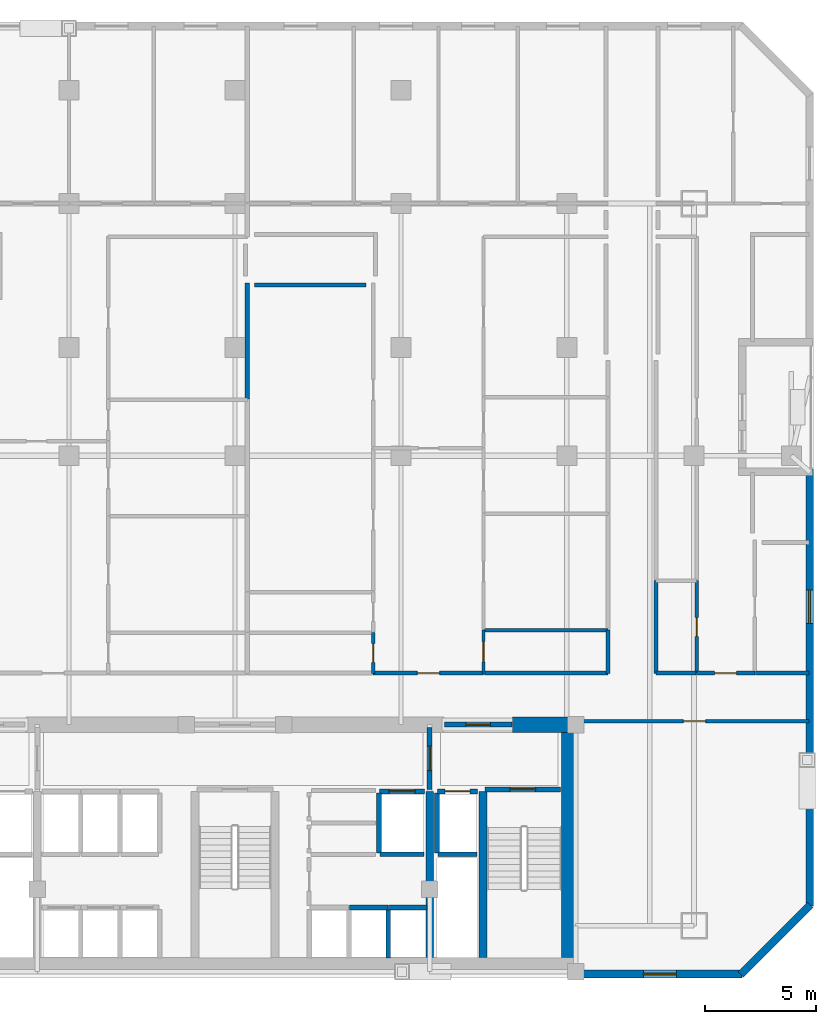
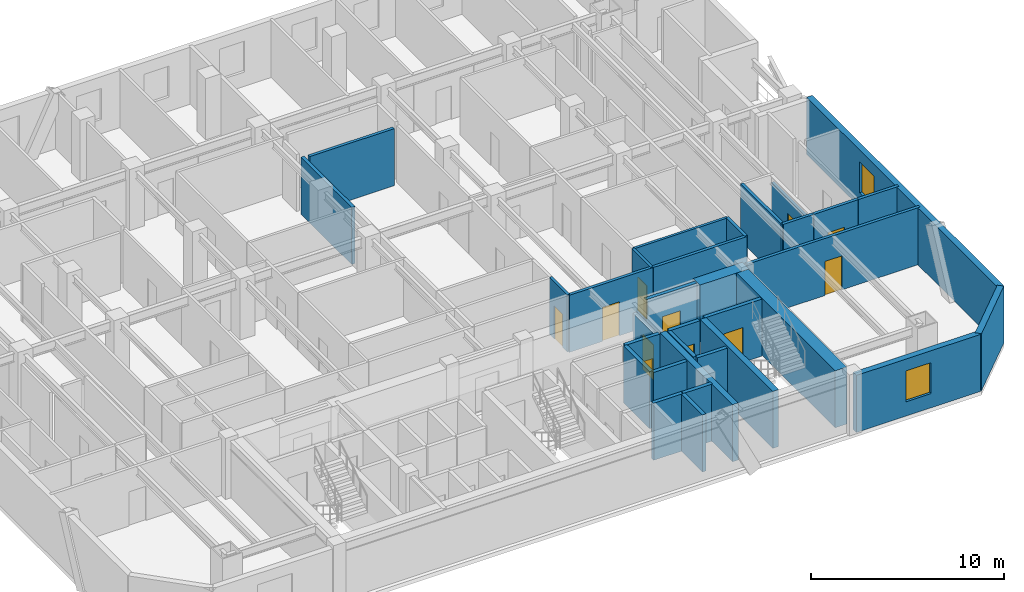
# One storey, part 5 of 10: 33 walls, 11 doors, 2 windows, 13 openings.
"""IFC4 building model written with IfcOpenShell, lengths in metres."""

from ifc_helpers import new_model, si_unit, direction, frame, frame_2d, origin, place, context, subcontext, project, spatial, rectangle, extrude, material, layer, layer_set, type_object, element, fill, save


model = new_model("IFC4")

# Units and contexts
model_context = context("Model", 3, precision=1e-05, world=origin(), true_north=direction((0.0, 1.0)))
body_context = subcontext(model_context, "Body", "Model", "MODEL_VIEW")
ifc_project = project(units=[si_unit("LENGTHUNIT", "METRE"), si_unit("AREAUNIT", "SQUARE_METRE"), si_unit("VOLUMEUNIT", "CUBIC_METRE"), si_unit("PLANEANGLEUNIT", "RADIAN"), si_unit("MASSUNIT", "GRAM", prefix="KILO")], contexts=[model_context])

# Site, building, storey
site_placement = place(None, origin())
site = spatial("IfcSite", under=ifc_project, at=site_placement, CompositionType="ELEMENT")
building_placement = place(site_placement, origin())
building = spatial("IfcBuilding", under=site, at=building_placement, Name="Ventersveld Concourse Tower", CompositionType="ELEMENT")
storey_placement = place(building_placement, frame((0.0, 0.0, 104.14990234375)))
storey = spatial("IfcBuildingStorey", under=building, at=storey_placement, Name="L25", CompositionType="ELEMENT", Elevation=104.14990234375)

# Walls
ifc_material_1 = material(Name="Concrete C60/75", Category="concrete")
ifc_layer_1 = layer(ifc_material_1, 0.35009765625)
ifc_layer_set_1 = layer_set([ifc_layer_1], Name="Concrete C60/75")
wall_type_1 = type_object("IfcWallType", Name="WL-CORE-350L", PredefinedType="SHEAR", material=ifc_layer_set_1)
for number, where, z_axis, x_axis, name in (
    (1, (37.550048828125, 0.919921875, 0.0), (0.0, 0.0, 1.0), (0.0, 1.0, 0.0), "L25 Core Internal Shear Web W-SVL-W"),
    (2, (39.9599609375, 0.919921875, 0.0), (0.0, 0.0, 1.0), (0.0, 1.0, 0.0), "L25 Core Internal Shear Web W-ST2-W"),
):
    element("IfcWall", number, at=place(storey_placement, frame(where, z_axis=z_axis, x_axis=x_axis)), inside=storey, type_object=wall_type_1, Name=name, PredefinedType="SHEAR", context=body_context, shape_type="SweptSolid", body=[
        extrude(rectangle(XDim=7.5, YDim=0.35009765625, at=frame_2d((3.75, 0.0))), origin(), (0.0, 0.0, 1.0), 3.60009765625),
    ])
ifc_layer_2 = layer(ifc_material_1, 0.699951171875)
ifc_layer_set_2 = layer_set([ifc_layer_2], Name="Concrete C60/75")
wall_type_2 = type_object("IfcWallType", Name="WL-CORE-700", PredefinedType="SHEAR", material=ifc_layer_set_2)
wall_1_placement = place(storey_placement, frame((43.85009765625, 0.919921875, 0.0), z_axis=(0.0, 0.0, 1.0), x_axis=(0.0, 1.0, 0.0)))
element("IfcWall", 3, at=wall_1_placement, inside=storey, type_object=wall_type_2, Name="L25 Rear Core East Shear Wall", PredefinedType="SHEAR", context=body_context, shape_type="SweptSolid", body=[
    extrude(rectangle(XDim=10.530029296875, YDim=0.699951171875, at=frame_2d((5.26513671875, 0.0))), origin(), (0.0, 0.0, 1.0), 3.60009765625),
])
wall_2_placement = place(storey_placement, frame((41.300048828125, 11.449951171875, 0.0), z_axis=(0.0, 0.0, 1.0), x_axis=(1.0, 0.0, 0.0)))
element("IfcWall", 4, at=wall_2_placement, inside=storey, type_object=wall_type_2, Name="L25 Rear Core North Shear Wall NE", PredefinedType="SHEAR", context=body_context, shape_type="SweptSolid", body=[
    extrude(rectangle(XDim=2.949951171875, YDim=0.699951171875, at=frame_2d((1.47509765625, 0.0))), origin(), (0.0, 0.0, 1.0), 3.60009765625),
])

# Wall, opening, door
ifc_material_2 = material(Name="Fire-rated autoclaved aerated masonry blockwork", Category="masonry")
ifc_layer_3 = layer(ifc_material_2, 0.179931640625)
ifc_layer_set_3 = layer_set([ifc_layer_3], Name="Fire-rated autoclaved aerated masonry blockwork")
wall_type_3 = type_object("IfcWallType", Name="WL-CORR-180", PredefinedType="PARTITIONING", material=ifc_layer_set_3)
wall_3_placement = place(storey_placement, frame((44.35498046875, 11.60009765625, 0.0), z_axis=(0.0, 0.0, 1.0), x_axis=(1.0, 0.0, 0.0)))
wall_3 = element("IfcWall", 5, at=wall_3_placement, inside=storey, type_object=wall_type_3, Name="L25 Interior Partition SP-L25-SE-OFF-SP-L25-COR", PredefinedType="PARTITIONING", context=body_context, shape_type="SweptSolid", body=[
    extrude(rectangle(XDim=10.3349609375, YDim=0.179931640625, at=frame_2d((5.16748046875, 0.0))), origin(), (0.0, 0.0, 1.0), 3.60009765625),
])
opening_1_placement = place(wall_3_placement, frame((4.66748046875, 0.0, 0.0)))
opening_1 = element("IfcOpeningElement", 6, at=opening_1_placement, cuts=wall_3, Name="Opening FD3", PredefinedType="OPENING", context=body_context, shape_type="SweptSolid", body=[
    extrude(rectangle(XDim=1.0, YDim=2.14990234375, at=frame_2d((0.5, 1.074951171875))), frame((0.0, 0.10009765625, 0.0), z_axis=(0.0, -1.0, 0.0), x_axis=(1.0, 0.0, 0.0)), (0.0, 0.0, 1.0), 0.199951171875),
])
ifc_material_3 = material(Name="Solid-core hardwood veneer timber", Category="wood")
door_type_1 = type_object("IfcDoorType", Name="DR-FLAT-100", OperationType="NOTDEFINED", PredefinedType="DOOR", material=ifc_material_3)
door_1_placement = place(opening_1_placement, origin())
door_1 = element("IfcDoor", 7, at=door_1_placement, inside=storey, type_object=door_type_1, Name="L25 Interior Door SP-L25-SE-OFF to SP-L25-COR (D-L25-1221)", OperationType="SINGLE_SWING_LEFT", OverallHeight=2.14990234375, OverallWidth=1.0, PredefinedType="DOOR", context=body_context, shape_type="SweptSolid", body=[
    extrude(rectangle(XDim=1.0, YDim=2.14990234375, at=frame_2d((0.5, 1.074951171875))), frame((0.0, 0.02490234375, 0.0), z_axis=(0.0, -1.0, 0.0), x_axis=(1.0, 0.0, 0.0)), (0.0, 0.0, 1.0), 0.050048828125),
])
fill(opening_1, door_1)

wall_4_placement = place(storey_placement, frame((49.612060546875, 13.77001953125, 0.0), z_axis=(0.0, 0.0, 1.0), x_axis=(1.0, 0.0, 0.0)))
wall_4 = element("IfcWall", 8, at=wall_4_placement, inside=storey, type_object=wall_type_3, Name="L25 Interior Partition SP-L25-COR-SP-L25-25NE-LIV", PredefinedType="PARTITIONING", context=body_context, shape_type="SweptSolid", body=[
    extrude(rectangle(XDim=2.635986328125, YDim=0.179931640625, at=frame_2d((1.31787109375, 0.0))), origin(), (0.0, 0.0, 1.0), 3.60009765625),
])
opening_2_placement = place(wall_4_placement, frame((0.818115234375, 0.0, 0.0)))
opening_2 = element("IfcOpeningElement", 9, at=opening_2_placement, cuts=wall_4, Name="Opening FD3", PredefinedType="OPENING", context=body_context, shape_type="SweptSolid", body=[
    extrude(rectangle(XDim=1.0, YDim=2.14990234375, at=frame_2d((0.5, 1.074951171875))), frame((0.0, 0.10009765625, 0.0), z_axis=(0.0, -1.0, 0.0), x_axis=(1.0, 0.0, 0.0)), (0.0, 0.0, 1.0), 0.199951171875),
])
door_2_placement = place(opening_2_placement, origin())
door_2 = element("IfcDoor", 10, at=door_2_placement, inside=storey, type_object=door_type_1, Name="L25 Interior Door SP-L25-COR to SP-L25-25NE-LIV (FD-L25-1223)", OperationType="SINGLE_SWING_LEFT", OverallHeight=2.14990234375, OverallWidth=1.0, PredefinedType="DOOR", context=body_context, shape_type="SweptSolid", body=[
    extrude(rectangle(XDim=1.0, YDim=2.14990234375, at=frame_2d((0.5, 1.074951171875))), frame((0.0, 0.02490234375, 0.0), z_axis=(0.0, -1.0, 0.0), x_axis=(1.0, 0.0, 0.0)), (0.0, 0.0, 1.0), 0.050048828125),
])
fill(opening_2, door_2)

# Walls
wall_5_placement = place(storey_placement, frame((47.7900390625, 13.764892578125, 0.0), z_axis=(0.0, 0.0, 1.0), x_axis=(0.0, 1.0, 0.0)))
element("IfcWall", 11, at=wall_5_placement, inside=storey, type_object=wall_type_3, Name="L25 Interior Partition SP-L25-COR-SP-L25-25NE-BATH", PredefinedType="PARTITIONING", context=body_context, shape_type="SweptSolid", body=[
    extrude(rectangle(XDim=4.197509765625, YDim=0.179931640625, at=frame_2d((2.0986328125, 0.0))), origin(), (0.0, 0.0, 1.0), 3.60009765625),
])
wall_6_placement = place(storey_placement, frame((47.784912109375, 13.77001953125, 0.0), z_axis=(0.0, 0.0, 1.0), x_axis=(1.0, 0.0, 0.0)))
element("IfcWall", 12, at=wall_6_placement, inside=storey, type_object=wall_type_3, Name="L25 Interior Partition SP-L25-COR-SP-L25-25NE-BATH", PredefinedType="PARTITIONING", context=body_context, shape_type="SweptSolid", body=[
    extrude(rectangle(XDim=1.797119140625, YDim=0.179931640625, at=frame_2d((0.8984375, 0.0))), origin(), (0.0, 0.0, 1.0), 3.60009765625),
])
wall_7_placement = place(storey_placement, frame((52.278076171875, 13.77001953125, 0.0), z_axis=(0.0, 0.0, 1.0), x_axis=(1.0, 0.0, 0.0)))
element("IfcWall", 13, at=wall_7_placement, inside=storey, type_object=wall_type_3, Name="L25 Interior Partition SP-L25-COR-SP-L25-25NE-KIT", PredefinedType="PARTITIONING", context=body_context, shape_type="SweptSolid", body=[
    extrude(rectangle(XDim=2.411865234375, YDim=0.179931640625, at=frame_2d((1.2060546875, 0.0))), origin(), (0.0, 0.0, 1.0), 3.60009765625),
])

# Wall, opening, door
wall_8_placement = place(storey_placement, frame((35.00048828125, 13.77001953125, 0.0), z_axis=(0.0, 0.0, 1.0), x_axis=(1.0, 0.0, 0.0)))
wall_8 = element("IfcWall", 14, at=wall_8_placement, inside=storey, type_object=wall_type_3, Name="L25 Interior Partition SP-L25-COR-SP-L25-25N2-FOY", PredefinedType="PARTITIONING", context=body_context, shape_type="SweptSolid", body=[
    extrude(rectangle(XDim=4.989990234375, YDim=0.179931640625, at=frame_2d((2.4951171875, 0.0))), origin(), (0.0, 0.0, 1.0), 3.60009765625),
])
opening_3_placement = place(wall_8_placement, frame((1.9951171875, 0.0, 0.0)))
opening_3 = element("IfcOpeningElement", 15, at=opening_3_placement, cuts=wall_8, Name="Opening FD3", PredefinedType="OPENING", context=body_context, shape_type="SweptSolid", body=[
    extrude(rectangle(XDim=1.0, YDim=2.14990234375, at=frame_2d((0.5, 1.074951171875))), frame((0.0, 0.10009765625, 0.0), z_axis=(0.0, -1.0, 0.0), x_axis=(1.0, 0.0, 0.0)), (0.0, 0.0, 1.0), 0.199951171875),
])
door_3_placement = place(opening_3_placement, origin())
door_3 = element("IfcDoor", 16, at=door_3_placement, inside=storey, type_object=door_type_1, Name="L25 Interior Door SP-L25-COR to SP-L25-25N2-FOY (FD-L25-1225)", OperationType="SINGLE_SWING_LEFT", OverallHeight=2.14990234375, OverallWidth=1.0, PredefinedType="DOOR", context=body_context, shape_type="SweptSolid", body=[
    extrude(rectangle(XDim=1.0, YDim=2.14990234375, at=frame_2d((0.5, 1.074951171875))), frame((0.0, 0.02490234375, 0.0), z_axis=(0.0, -1.0, 0.0), x_axis=(1.0, 0.0, 0.0)), (0.0, 0.0, 1.0), 0.050048828125),
])
fill(opening_3, door_3)

# Walls
wall_9_placement = place(storey_placement, frame((40.0205078125, 13.77001953125, 0.0), z_axis=(0.0, 0.0, 1.0), x_axis=(1.0, 0.0, 0.0)))
element("IfcWall", 17, at=wall_9_placement, inside=storey, type_object=wall_type_3, Name="L25 Interior Partition SP-L25-COR-SP-L25-25N2-KIT", PredefinedType="PARTITIONING", context=body_context, shape_type="SweptSolid", body=[
    extrude(rectangle(XDim=5.594482421875, YDim=0.179931640625, at=frame_2d((2.79736328125, 0.0))), origin(), (0.0, 0.0, 1.0), 3.60009765625),
])
wall_10_placement = place(storey_placement, frame((45.610107421875, 13.764892578125, 0.0), z_axis=(0.0, 0.0, 1.0), x_axis=(0.0, 1.0, 0.0)))
element("IfcWall", 18, at=wall_10_placement, inside=storey, type_object=wall_type_3, Name="L25 Interior Partition SP-L25-COR-SP-L25-25N2-KIT", PredefinedType="PARTITIONING", context=body_context, shape_type="SweptSolid", body=[
    extrude(rectangle(XDim=1.953369140625, YDim=0.179931640625, at=frame_2d((0.9765625, 0.0))), origin(), (0.0, 0.0, 1.0), 3.60009765625),
])
wall_11_placement = place(storey_placement, frame((29.63916015625, 31.309326171875, 0.0), z_axis=(0.0, 0.0, 1.0), x_axis=(1.0, 0.0, 0.0)))
element("IfcWall", 19, at=wall_11_placement, inside=storey, type_object=wall_type_3, Name="L25 Room Enclosure Wall SP-L25-25N2-DENL", PredefinedType="PARTITIONING", context=body_context, shape_type="SweptSolid", body=[
    extrude(rectangle(XDim=5.04150390625, YDim=0.179931640625, at=frame_2d((2.520751953125, 0.0))), origin(), (0.0, 0.0, 1.0), 3.60009765625),
])
ifc_layer_4 = layer(ifc_material_2, 0.199951171875)
ifc_layer_set_4 = layer_set([ifc_layer_4], Name="Fire-rated autoclaved aerated masonry blockwork")
wall_type_4 = type_object("IfcWallType", Name="WL-DEMISE-200", PredefinedType="PARTITIONING", material=ifc_layer_set_4)
wall_12_placement = place(storey_placement, frame((29.314208984375, 26.162353515625, 0.0), z_axis=(0.0, 0.0, 1.0), x_axis=(0.0, 1.0, 0.0)))
element("IfcWall", 20, at=wall_12_placement, inside=storey, type_object=wall_type_4, Name="L25 Interior Partition SP-L25-25N1-DENS2-SP-L25-25N2-DENL", PredefinedType="PARTITIONING", context=body_context, shape_type="SweptSolid", body=[
    extrude(rectangle(XDim=5.241943359375, YDim=0.199951171875, at=frame_2d((2.62109375, 0.0))), origin(), (0.0, 0.0, 1.0), 3.60009765625),
])
ifc_layer_5 = layer(ifc_material_2, 0.219970703125)
ifc_layer_set_5 = layer_set([ifc_layer_5], Name="Fire-rated autoclaved aerated masonry blockwork")
wall_type_5 = type_object("IfcWallType", Name="WL-HOIST-220", PredefinedType="SOLIDWALL", material=ifc_layer_set_5)
wall_13_placement = place(storey_placement, frame((37.919921875, 5.590087890625, 0.0), z_axis=(0.0, 0.0, 1.0), x_axis=(1.0, 0.0, 0.0)))
element("IfcWall", 21, at=wall_13_placement, inside=storey, type_object=wall_type_5, Name="L25 Lift Hoistway Back Wall FFL-02", PredefinedType="SOLIDWALL", context=body_context, shape_type="SweptSolid", body=[
    extrude(rectangle(XDim=1.780029296875, YDim=0.219970703125, at=frame_2d((0.89013671875, 0.0))), origin(), (0.0, 0.0, 1.0), 3.60009765625),
])
wall_14_placement = place(storey_placement, frame((37.8798828125, 5.64990234375, 0.0), z_axis=(0.0, 0.0, 1.0), x_axis=(0.0, 1.0, 0.0)))
element("IfcWall", 22, at=wall_14_placement, inside=storey, type_object=wall_type_5, Name="L25 Lift Hoistway Side Wall FFL-02W", PredefinedType="SOLIDWALL", context=body_context, shape_type="SweptSolid", body=[
    extrude(rectangle(XDim=2.7001953125, YDim=0.219970703125, at=frame_2d((1.35009765625, 0.0))), origin(), (0.0, 0.0, 1.0), 3.60009765625),
])

# Wall, opening, door
wall_15_placement = place(storey_placement, frame((37.89990234375, 8.429931640625, 0.0), z_axis=(0.0, 0.0, 1.0), x_axis=(1.0, 0.0, 0.0)))
wall_15 = element("IfcWall", 23, at=wall_15_placement, inside=storey, type_object=wall_type_5, Name="L25 Lift Hoistway Front Wall FFL-02", PredefinedType="SOLIDWALL", context=body_context, shape_type="SweptSolid", body=[
    extrude(rectangle(XDim=1.820068359375, YDim=0.219970703125, at=frame_2d((0.91015625, 0.0))), origin(), (0.0, 0.0, 1.0), 3.60009765625),
])
opening_4_placement = place(wall_15_placement, frame((0.35009765625, 0.0, 0.0)))
opening_4 = element("IfcOpeningElement", 24, at=opening_4_placement, cuts=wall_15, Name="Opening LD1", PredefinedType="OPENING", context=body_context, shape_type="SweptSolid", body=[
    extrude(rectangle(XDim=1.1201171875, YDim=2.25, at=frame_2d((0.56005859375, 1.125))), frame((0.0, 0.1201171875, 0.0), z_axis=(0.0, -1.0, 0.0), x_axis=(1.0, 0.0, 0.0)), (0.0, 0.0, 1.0), 0.239990234375),
])
ifc_material_4 = material(Name="Brushed stainless steel 316", Category="steel")
door_type_2 = type_object("IfcDoorType", Name="LD-FF-112", OperationType="SLIDING_TO_LEFT", PredefinedType="DOOR", material=ifc_material_4)
door_4_placement = place(opening_4_placement, origin())
door_4 = element("IfcDoor", 25, at=door_4_placement, inside=storey, type_object=door_type_2, Name="L25 Lift landing door FFL-02 (LD-L25-FFL-02)", OperationType="SLIDING_TO_RIGHT", OverallHeight=2.25, OverallWidth=1.1201171875, PredefinedType="DOOR", context=body_context, shape_type="SweptSolid", body=[
    extrude(rectangle(XDim=1.1201171875, YDim=2.25, at=frame_2d((0.56005859375, 1.125))), frame((0.0, 0.02490234375, 0.0), z_axis=(0.0, -1.0, 0.0), x_axis=(1.0, 0.0, 0.0)), (0.0, 0.0, 1.0), 0.050048828125),
])
fill(opening_4, door_4)

# Walls
wall_16_placement = place(storey_placement, frame((35.300048828125, 5.590087890625, 0.0), z_axis=(0.0, 0.0, 1.0), x_axis=(1.0, 0.0, 0.0)))
element("IfcWall", 26, at=wall_16_placement, inside=storey, type_object=wall_type_5, Name="L25 Lift Hoistway Back Wall SVL-01", PredefinedType="SOLIDWALL", context=body_context, shape_type="SweptSolid", body=[
    extrude(rectangle(XDim=2.0, YDim=0.219970703125, at=frame_2d((1.0, 0.0))), origin(), (0.0, 0.0, 1.0), 3.60009765625),
])
wall_17_placement = place(storey_placement, frame((35.260009765625, 5.64990234375, 0.0), z_axis=(0.0, 0.0, 1.0), x_axis=(0.0, 1.0, 0.0)))
element("IfcWall", 27, at=wall_17_placement, inside=storey, type_object=wall_type_5, Name="L25 Lift Hoistway Side Wall SVL-01W", PredefinedType="SOLIDWALL", context=body_context, shape_type="SweptSolid", body=[
    extrude(rectangle(XDim=2.7001953125, YDim=0.219970703125, at=frame_2d((1.35009765625, 0.0))), origin(), (0.0, 0.0, 1.0), 3.60009765625),
])

# Wall, opening, door
wall_18_placement = place(storey_placement, frame((35.280029296875, 8.429931640625, 0.0), z_axis=(0.0, 0.0, 1.0), x_axis=(1.0, 0.0, 0.0)))
wall_18 = element("IfcWall", 28, at=wall_18_placement, inside=storey, type_object=wall_type_5, Name="L25 Lift Hoistway Front Wall SVL-01", PredefinedType="SOLIDWALL", context=body_context, shape_type="SweptSolid", body=[
    extrude(rectangle(XDim=2.0400390625, YDim=0.219970703125, at=frame_2d((1.02001953125, 0.0))), origin(), (0.0, 0.0, 1.0), 3.60009765625),
])
opening_5_placement = place(wall_18_placement, frame((0.429931640625, 0.0, 0.0)))
opening_5 = element("IfcOpeningElement", 29, at=opening_5_placement, cuts=wall_18, Name="Opening LD2", PredefinedType="OPENING", context=body_context, shape_type="SweptSolid", body=[
    extrude(rectangle(XDim=1.179931640625, YDim=2.199951171875, at=frame_2d((0.58984375, 1.10009765625))), frame((0.0, 0.1201171875, 0.0), z_axis=(0.0, -1.0, 0.0), x_axis=(1.0, 0.0, 0.0)), (0.0, 0.0, 1.0), 0.239990234375),
])
door_type_3 = type_object("IfcDoorType", Name="LD-PAX-118", OperationType="SLIDING_TO_LEFT", PredefinedType="DOOR", material=ifc_material_4)
door_5_placement = place(opening_5_placement, origin())
door_5 = element("IfcDoor", 30, at=door_5_placement, inside=storey, type_object=door_type_3, Name="L25 Lift landing door SVL-01 (LD-L25-SVL-01)", OperationType="SLIDING_TO_LEFT", OverallHeight=2.199951171875, OverallWidth=1.179931640625, PredefinedType="DOOR", context=body_context, shape_type="SweptSolid", body=[
    extrude(rectangle(XDim=1.179931640625, YDim=2.199951171875, at=frame_2d((0.58984375, 1.10009765625))), frame((0.0, 0.02490234375, 0.0), z_axis=(0.0, -1.0, 0.0), x_axis=(1.0, 0.0, 0.0)), (0.0, 0.0, 1.0), 0.050048828125),
])
fill(opening_5, door_5)

# Walls
wall_19_placement = place(storey_placement, frame((35.679931640625, 0.89990234375, 0.0), z_axis=(0.0, 0.0, 1.0), x_axis=(0.0, 1.0, 0.0)))
element("IfcWall", 31, at=wall_19_placement, inside=storey, type_object=wall_type_5, Name="L25 Lift Hoistway Side Wall PM-02E", PredefinedType="SOLIDWALL", context=body_context, shape_type="SweptSolid", body=[
    extrude(rectangle(XDim=2.2001953125, YDim=0.219970703125, at=frame_2d((1.10009765625, 0.0))), origin(), (0.0, 0.0, 1.0), 3.60009765625),
])
for number, where, z_axis, x_axis, name in (
    (32, (33.919921875, 3.179931640625, 0.0), (0.0, 0.0, 1.0), (1.0, 0.0, 0.0), "L25 Lift Hoistway Front Wall PM-02"),
    (33, (35.699951171875, 3.179931640625, 0.0), (0.0, 0.0, 1.0), (1.0, 0.0, 0.0), "L25 Lift Hoistway Front Wall PM-03"),
):
    element("IfcWall", number, at=place(storey_placement, frame(where, z_axis=z_axis, x_axis=x_axis)), inside=storey, type_object=wall_type_5, Name=name, PredefinedType="SOLIDWALL", context=body_context, shape_type="SweptSolid", body=[
        extrude(rectangle(XDim=1.739990234375, YDim=0.219970703125, at=frame_2d((0.8701171875, 0.0))), origin(), (0.0, 0.0, 1.0), 3.60009765625),
    ])

# Wall, opening, door
wall_20_placement = place(storey_placement, frame((40.06005859375, 8.52001953125, 0.0), z_axis=(0.0, 0.0, 1.0), x_axis=(1.0, 0.0, 0.0)))
wall_20 = element("IfcWall", 34, at=wall_20_placement, inside=storey, type_object=wall_type_5, Name="L25 Escape Stair ST02 Fire Wall", PredefinedType="SOLIDWALL", context=body_context, shape_type="SweptSolid", body=[
    extrude(rectangle(XDim=3.39990234375, YDim=0.219970703125, at=frame_2d((1.699951171875, 0.0))), origin(), (0.0, 0.0, 1.0), 3.60009765625),
])
opening_6_placement = place(wall_20_placement, frame((1.125, 0.0, 0.0)))
opening_6 = element("IfcOpeningElement", 35, at=opening_6_placement, cuts=wall_20, Name="Opening FD1", PredefinedType="OPENING", context=body_context, shape_type="SweptSolid", body=[
    extrude(rectangle(XDim=1.14990234375, YDim=2.199951171875, at=frame_2d((0.574951171875, 1.10009765625))), frame((0.0, 0.1201171875, 0.0), z_axis=(0.0, -1.0, 0.0), x_axis=(1.0, 0.0, 0.0)), (0.0, 0.0, 1.0), 0.239990234375),
])
ifc_material_5 = material(Name="Galvanised painted steel", Category="steel")
door_type_4 = type_object("IfcDoorType", Name="DR-STAIR-115", OperationType="NOTDEFINED", PredefinedType="DOOR", material=ifc_material_5)
door_6_placement = place(opening_6_placement, origin())
door_6 = element("IfcDoor", 36, at=door_6_placement, inside=storey, type_object=door_type_4, Name="L25 Escape Stair Door ST02 (SD-L25-1210)", OperationType="SINGLE_SWING_RIGHT", OverallHeight=2.199951171875, OverallWidth=1.14990234375, PredefinedType="DOOR", context=body_context, shape_type="SweptSolid", body=[
    extrude(rectangle(XDim=1.14990234375, YDim=2.199951171875, at=frame_2d((0.574951171875, 1.10009765625))), frame((0.0, 0.02490234375, 0.0), z_axis=(0.0, -1.0, 0.0), x_axis=(1.0, 0.0, 0.0)), (0.0, 0.0, 1.0), 0.050048828125),
])
fill(opening_6, door_6)

wall_21_placement = place(storey_placement, frame((37.550048828125, 8.52001953125, 0.0), z_axis=(0.0, 0.0, 1.0), x_axis=(0.0, 1.0, 0.0)))
wall_21 = element("IfcWall", 37, at=wall_21_placement, inside=storey, type_object=wall_type_5, Name="L25 Firefighting Lobby Smoke-Stop Wall FFLE-SEP", PredefinedType="SOLIDWALL", context=body_context, shape_type="SweptSolid", body=[
    extrude(rectangle(XDim=2.800048828125, YDim=0.219970703125, at=frame_2d((1.39990234375, 0.0))), origin(), (0.0, 0.0, 1.0), 3.0556640625),
])
opening_7_placement = place(wall_21_placement, frame((0.85009765625, 0.0, 0.0)))
opening_7 = element("IfcOpeningElement", 38, at=opening_7_placement, cuts=wall_21, Name="Opening FD2", PredefinedType="OPENING", context=body_context, shape_type="SweptSolid", body=[
    extrude(rectangle(XDim=1.10009765625, YDim=2.199951171875, at=frame_2d((0.550048828125, 1.10009765625))), frame((0.0, 0.1201171875, 0.0), z_axis=(0.0, -1.0, 0.0), x_axis=(1.0, 0.0, 0.0)), (0.0, 0.0, 1.0), 0.239990234375),
])
door_type_5 = type_object("IfcDoorType", Name="DR-FFL-110", OperationType="NOTDEFINED", PredefinedType="DOOR", material=ifc_material_5)
door_7_placement = place(opening_7_placement, origin())
door_7 = element("IfcDoor", 39, at=door_7_placement, inside=storey, type_object=door_type_5, Name="L25 Firefighting Lobby Door FFLE-SEP (FD-L25-1213)", OperationType="SINGLE_SWING_RIGHT", OverallHeight=2.199951171875, OverallWidth=1.10009765625, PredefinedType="DOOR", context=body_context, shape_type="SweptSolid", body=[
    extrude(rectangle(XDim=1.10009765625, YDim=2.199951171875, at=frame_2d((0.550048828125, 1.10009765625))), frame((0.0, 0.02490234375, 0.0), z_axis=(0.0, -1.0, 0.0), x_axis=(1.0, 0.0, 0.0)), (0.0, 0.0, 1.0), 0.050048828125),
])
fill(opening_7, door_7)

wall_22_placement = place(storey_placement, frame((38.22998046875, 11.449951171875, 0.0), z_axis=(0.0, 0.0, 1.0), x_axis=(1.0, 0.0, 0.0)))
wall_22 = element("IfcWall", 40, at=wall_22_placement, inside=storey, type_object=wall_type_5, Name="L25 Core North Fire Portal FFLE-OUT", PredefinedType="SOLIDWALL", context=body_context, shape_type="SweptSolid", body=[
    extrude(rectangle(XDim=3.0400390625, YDim=0.219970703125, at=frame_2d((1.52001953125, 0.0))), origin(), (0.0, 0.0, 1.0), 3.60009765625),
])
opening_8_placement = place(wall_22_placement, frame((0.969970703125, 0.0, 0.0)))
opening_8 = element("IfcOpeningElement", 41, at=opening_8_placement, cuts=wall_22, Name="Opening FD2", PredefinedType="OPENING", context=body_context, shape_type="SweptSolid", body=[
    extrude(rectangle(XDim=1.10009765625, YDim=2.199951171875, at=frame_2d((0.550048828125, 1.10009765625))), frame((0.0, 0.1201171875, 0.0), z_axis=(0.0, -1.0, 0.0), x_axis=(1.0, 0.0, 0.0)), (0.0, 0.0, 1.0), 0.239990234375),
])
door_8_placement = place(opening_8_placement, origin())
door_8 = element("IfcDoor", 42, at=door_8_placement, inside=storey, type_object=door_type_5, Name="L25 Core Lobby Fire Door FFLE-OUT (FD-L25-1216)", OperationType="SINGLE_SWING_LEFT", OverallHeight=2.199951171875, OverallWidth=1.10009765625, PredefinedType="DOOR", context=body_context, shape_type="SweptSolid", body=[
    extrude(rectangle(XDim=1.10009765625, YDim=2.199951171875, at=frame_2d((0.550048828125, 1.10009765625))), frame((0.0, 0.02490234375, 0.0), z_axis=(0.0, -1.0, 0.0), x_axis=(1.0, 0.0, 0.0)), (0.0, 0.0, 1.0), 0.050048828125),
])
fill(opening_8, door_8)

ifc_material_6 = material(Name="Autoclaved aerated masonry blockwork", Category="masonry")
ifc_layer_6 = layer(ifc_material_6, 0.14990234375)
ifc_layer_set_6 = layer_set([ifc_layer_6], Name="Autoclaved aerated masonry blockwork")
wall_type_6 = type_object("IfcWallType", Name="WL-INT-150", PredefinedType="PARTITIONING", material=ifc_layer_set_6)
wall_23_placement = place(storey_placement, frame((39.985595703125, 13.764892578125, 0.0), z_axis=(0.0, 0.0, 1.0), x_axis=(0.0, 1.0, 0.0)))
wall_23 = element("IfcWall", 43, at=wall_23_placement, inside=storey, type_object=wall_type_6, Name="L25 Interior Partition SP-L25-25N2-FOY-SP-L25-25N2-KIT", PredefinedType="PARTITIONING", context=body_context, shape_type="SweptSolid", body=[
    extrude(rectangle(XDim=1.953369140625, YDim=0.14990234375, at=frame_2d((0.9765625, 0.0))), origin(), (0.0, 0.0, 1.0), 3.60009765625),
])
opening_9_placement = place(wall_23_placement, frame((0.5166015625, 0.0, 0.0)))
opening_9 = element("IfcOpeningElement", 44, at=opening_9_placement, cuts=wall_23, Name="Opening ID1", PredefinedType="OPENING", context=body_context, shape_type="SweptSolid", body=[
    extrude(rectangle(XDim=0.919921875, YDim=2.10009765625, at=frame_2d((0.4599609375, 1.050048828125))), frame((0.0, 0.0849609375, 0.0), z_axis=(0.0, -1.0, 0.0), x_axis=(1.0, 0.0, 0.0)), (0.0, 0.0, 1.0), 0.169921875),
])
door_type_6 = type_object("IfcDoorType", Name="DR-ROOM-092", OperationType="NOTDEFINED", PredefinedType="DOOR", material=ifc_material_3)
door_9_placement = place(opening_9_placement, origin())
door_9 = element("IfcDoor", 45, at=door_9_placement, inside=storey, type_object=door_type_6, Name="L25 Interior Door SP-L25-25N2-FOY to SP-L25-25N2-KIT (D-L25-1254)", OperationType="SINGLE_SWING_RIGHT", OverallHeight=2.10009765625, OverallWidth=0.919921875, PredefinedType="DOOR", context=body_context, shape_type="SweptSolid", body=[
    extrude(rectangle(XDim=0.919921875, YDim=2.10009765625, at=frame_2d((0.4599609375, 1.050048828125))), frame((0.0, 0.02490234375, 0.0), z_axis=(0.0, -1.0, 0.0), x_axis=(1.0, 0.0, 0.0)), (0.0, 0.0, 1.0), 0.050048828125),
])
fill(opening_9, door_9)

# Wall
wall_24_placement = place(storey_placement, frame((39.980712890625, 15.71337890625, 0.0), z_axis=(0.0, 0.0, 1.0), x_axis=(1.0, 0.0, 0.0)))
element("IfcWall", 46, at=wall_24_placement, inside=storey, type_object=wall_type_6, Name="L25 Interior Partition SP-L25-25N2-KIT-SP-L25-25N2-DENR", PredefinedType="PARTITIONING", context=body_context, shape_type="SweptSolid", body=[
    extrude(rectangle(XDim=5.63427734375, YDim=0.14990234375, at=frame_2d((2.817138671875, 0.0))), origin(), (0.0, 0.0, 1.0), 3.60009765625),
])

# Wall, opening, window
ifc_material_7 = material(Name="Precast concrete C45/55", Category="concrete")
ifc_layer_7 = layer(ifc_material_7, 0.35009765625)
ifc_layer_set_7 = layer_set([ifc_layer_7], Name="Precast concrete C45/55")
wall_type_7 = type_object("IfcWallType", Name="WL-PREC-350", PredefinedType="SOLIDWALL", material=ifc_layer_set_7)
wall_25_placement = place(storey_placement, frame((44.25, 0.179931640625, 0.0), z_axis=(0.0, 0.0, 1.0), x_axis=(1.0, 0.0, 0.0)))
wall_25 = element("IfcWall", 47, at=wall_25_placement, inside=storey, type_object=wall_type_7, Name="L25 South-East Flank Precast Wall", PredefinedType="SOLIDWALL", context=body_context, shape_type="SweptSolid", body=[
    extrude(rectangle(XDim=7.409912109375, YDim=0.35009765625, at=frame_2d((3.705078125, 0.0))), origin(), (0.0, 0.0, 1.0), 3.60009765625),
])
opening_10_placement = place(wall_25_placement, frame((2.955078125, 0.0, 0.89990234375)))
opening_10 = element("IfcOpeningElement", 48, at=opening_10_placement, cuts=wall_25, Name="Opening W1", PredefinedType="OPENING", context=body_context, shape_type="SweptSolid", body=[
    extrude(rectangle(XDim=1.5, YDim=1.949951171875, at=frame_2d((0.75, 0.97509765625))), frame((0.0, 0.18505859375, 0.0), z_axis=(0.0, -1.0, 0.0), x_axis=(1.0, 0.0, 0.0)), (0.0, 0.0, 1.0), 0.3701171875),
])
ifc_material_8 = material(Name="Tempered acoustic Low-E IGU", Category="glass")
window_type = type_object("IfcWindowType", Name="WIN-150x210", PartitioningType="SINGLE_PANEL", PredefinedType="WINDOW", material=ifc_material_8)
window_1_placement = place(opening_10_placement, origin())
window_1 = element("IfcWindow", 49, at=window_1_placement, inside=storey, type_object=window_type, Name="L25 Punched Low-E Window W-0288", OverallHeight=1.949951171875, OverallWidth=1.5, PartitioningType="SINGLE_PANEL", PredefinedType="WINDOW", context=body_context, shape_type="SweptSolid", body=[
    extrude(rectangle(XDim=1.5, YDim=1.949951171875, at=frame_2d((0.75, 0.97509765625))), frame((0.0, 0.030029296875, 0.0), z_axis=(0.0, -1.0, 0.0), x_axis=(1.0, 0.0, 0.0)), (0.0, 0.0, 1.0), 0.06005859375),
])
fill(opening_10, window_1)

# Wall
wall_26_placement = place(storey_placement, frame((51.6044921875, 0.152099609375, 0.0), z_axis=(0.0, 0.0, 1.0), x_axis=(0.707134240044, 0.707079321262, 0.0)))
element("IfcWall", 50, at=wall_26_placement, inside=storey, type_object=wall_type_7, Name="L25 Highveld Precast Facade Wall E02", PredefinedType="SOLIDWALL", context=body_context, shape_type="SweptSolid", body=[
    extrude(rectangle(XDim=4.445556640625, YDim=0.35009765625, at=frame_2d((2.22265625, 0.0))), origin(), (0.0, 0.0, 1.0), 3.60009765625),
])

# Wall, opening, window
wall_27_placement = place(storey_placement, frame((54.72509765625, 3.239990234375, 0.0), z_axis=(0.0, 0.0, 1.0), x_axis=(0.0, 1.0, 0.0)))
wall_27 = element("IfcWall", 51, at=wall_27_placement, inside=storey, type_object=wall_type_7, Name="L25 Highveld Precast Facade Wall E03", PredefinedType="SOLIDWALL", context=body_context, shape_type="SweptSolid", body=[
    extrude(rectangle(XDim=19.77001953125, YDim=0.35009765625, at=frame_2d((9.885009765625, 0.0))), origin(), (0.0, 0.0, 1.0), 3.60009765625),
])
opening_11_placement = place(wall_27_placement, frame((12.784423828125, 0.0, 0.89990234375)))
opening_11 = element("IfcOpeningElement", 52, at=opening_11_placement, cuts=wall_27, Name="Opening W1", PredefinedType="OPENING", context=body_context, shape_type="SweptSolid", body=[
    extrude(rectangle(XDim=1.5, YDim=1.949951171875, at=frame_2d((0.75, 0.97509765625))), frame((0.0, 0.18505859375, 0.0), z_axis=(0.0, -1.0, 0.0), x_axis=(1.0, 0.0, 0.0)), (0.0, 0.0, 1.0), 0.3701171875),
])
window_2_placement = place(opening_11_placement, origin())
window_2 = element("IfcWindow", 53, at=window_2_placement, inside=storey, type_object=window_type, Name="L25 Punched Low-E Window W-0294", OverallHeight=1.949951171875, OverallWidth=1.5, PartitioningType="SINGLE_PANEL", PredefinedType="WINDOW", context=body_context, shape_type="SweptSolid", body=[
    extrude(rectangle(XDim=1.5, YDim=1.949951171875, at=frame_2d((0.75, 0.97509765625))), frame((0.0, 0.030029296875, 0.0), z_axis=(0.0, -1.0, 0.0), x_axis=(1.0, 0.0, 0.0)), (0.0, 0.0, 1.0), 0.06005859375),
])
fill(opening_11, window_2)

# Wall, opening, door
ifc_layer_8 = layer(ifc_material_6, 0.1650390625)
ifc_layer_set_8 = layer_set([ifc_layer_8], Name="Autoclaved aerated masonry blockwork")
wall_type_8 = type_object("IfcWallType", Name="WL-WET-165", PredefinedType="PLUMBINGWALL", material=ifc_layer_set_8)
wall_28_placement = place(storey_placement, frame((49.616943359375, 13.764892578125, 0.0), z_axis=(0.0, 0.0, 1.0), x_axis=(0.0, 1.0, 0.0)))
wall_28 = element("IfcWall", 54, at=wall_28_placement, inside=storey, type_object=wall_type_8, Name="L25 Interior Partition SP-L25-25NE-LIV-SP-L25-25NE-BATH", PredefinedType="PLUMBINGWALL", context=body_context, shape_type="SweptSolid", body=[
    extrude(rectangle(XDim=4.197509765625, YDim=0.1650390625, at=frame_2d((2.0986328125, 0.0))), origin(), (0.0, 0.0, 1.0), 3.0556640625),
])
opening_12_placement = place(wall_28_placement, frame((1.673583984375, 0.0, 0.0)))
opening_12 = element("IfcOpeningElement", 55, at=opening_12_placement, cuts=wall_28, Name="Opening ID2", PredefinedType="OPENING", context=body_context, shape_type="SweptSolid", body=[
    extrude(rectangle(XDim=0.85009765625, YDim=2.10009765625, at=frame_2d((0.425048828125, 1.050048828125))), frame((0.0, 0.092529296875, 0.0), z_axis=(0.0, -1.0, 0.0), x_axis=(1.0, 0.0, 0.0)), (0.0, 0.0, 1.0), 0.18505859375),
])
door_type_7 = type_object("IfcDoorType", Name="DR-BATH-085", OperationType="NOTDEFINED", PredefinedType="DOOR", material=ifc_material_3)
door_10_placement = place(opening_12_placement, origin())
door_10 = element("IfcDoor", 56, at=door_10_placement, inside=storey, type_object=door_type_7, Name="L25 Interior Door SP-L25-25NE-LIV to SP-L25-25NE-BATH (D-L25-1231)", OperationType="SINGLE_SWING_LEFT", OverallHeight=2.10009765625, OverallWidth=0.85009765625, PredefinedType="DOOR", context=body_context, shape_type="SweptSolid", body=[
    extrude(rectangle(XDim=0.85009765625, YDim=2.10009765625, at=frame_2d((0.425048828125, 1.050048828125))), frame((0.0, 0.02490234375, 0.0), z_axis=(0.0, -1.0, 0.0), x_axis=(1.0, 0.0, 0.0)), (0.0, 0.0, 1.0), 0.050048828125),
])
fill(opening_12, door_10)

wall_29_placement = place(storey_placement, frame((35.005615234375, 13.764892578125, 0.0), z_axis=(0.0, 0.0, 1.0), x_axis=(0.0, 1.0, 0.0)))
wall_29 = element("IfcWall", 57, at=wall_29_placement, inside=storey, type_object=wall_type_8, Name="L25 Interior Partition SP-L25-25N2-FOY-SP-L25-25N2-BATH", PredefinedType="PLUMBINGWALL", context=body_context, shape_type="SweptSolid", body=[
    extrude(rectangle(XDim=1.840087890625, YDim=0.1650390625, at=frame_2d((0.919921875, 0.0))), origin(), (0.0, 0.0, 1.0), 3.60009765625),
])
opening_13_placement = place(wall_29_placement, frame((0.4951171875, 0.0, 0.0)))
opening_13 = element("IfcOpeningElement", 58, at=opening_13_placement, cuts=wall_29, Name="Opening ID2", PredefinedType="OPENING", context=body_context, shape_type="SweptSolid", body=[
    extrude(rectangle(XDim=0.85009765625, YDim=2.10009765625, at=frame_2d((0.425048828125, 1.050048828125))), frame((0.0, 0.092529296875, 0.0), z_axis=(0.0, -1.0, 0.0), x_axis=(1.0, 0.0, 0.0)), (0.0, 0.0, 1.0), 0.18505859375),
])
door_11_placement = place(opening_13_placement, origin())
door_11 = element("IfcDoor", 59, at=door_11_placement, inside=storey, type_object=door_type_7, Name="L25 Interior Door SP-L25-25N2-FOY to SP-L25-25N2-BATH (D-L25-1251)", OperationType="SINGLE_SWING_LEFT", OverallHeight=2.10009765625, OverallWidth=0.85009765625, PredefinedType="DOOR", context=body_context, shape_type="SweptSolid", body=[
    extrude(rectangle(XDim=0.85009765625, YDim=2.10009765625, at=frame_2d((0.425048828125, 1.050048828125))), frame((0.0, 0.02490234375, 0.0), z_axis=(0.0, -1.0, 0.0), x_axis=(1.0, 0.0, 0.0)), (0.0, 0.0, 1.0), 0.050048828125),
])
fill(opening_13, door_11)

save(model, "model.ifc")
